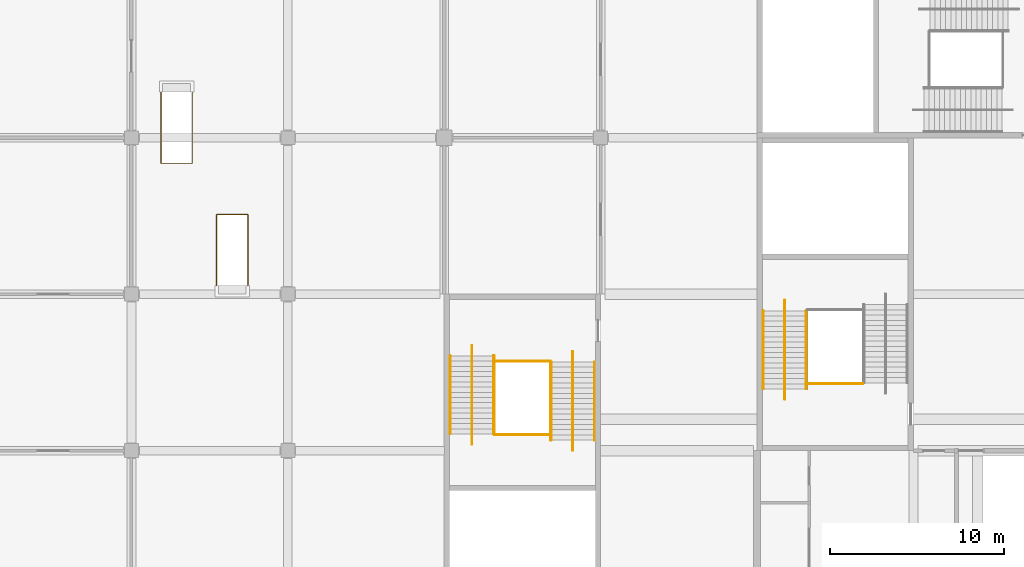
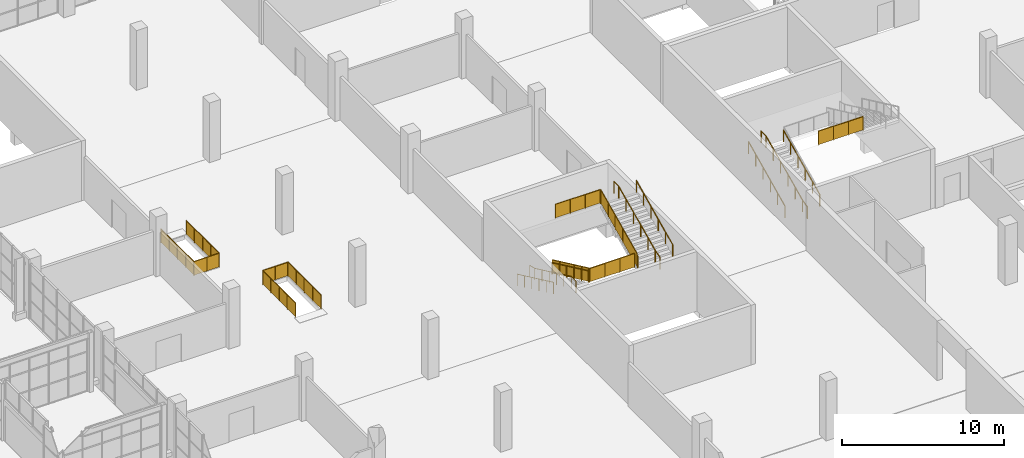
# One storey, part 148 of 168: 16 railings.
"""IFC4 building model written with IfcOpenShell, lengths in metres."""

from ifc_helpers import new_model, si_unit, direction, frame, origin, origin_2d, place, context, subcontext, project, spatial, polyline, circle, outline, extrude, material, type_object, element, save


model = new_model("IFC4")

# Units and contexts
model_context = context("Model", 3, precision=1e-05, world=origin(), true_north=direction((0.0, 1.0)))
body_context = subcontext(model_context, "Body", "Model", "MODEL_VIEW")
ifc_project = project(units=[si_unit("LENGTHUNIT", "METRE"), si_unit("AREAUNIT", "SQUARE_METRE"), si_unit("VOLUMEUNIT", "CUBIC_METRE"), si_unit("PLANEANGLEUNIT", "RADIAN"), si_unit("MASSUNIT", "GRAM", prefix="KILO")], contexts=[model_context])

# Site, building, storey
site_placement = place(None, origin())
site = spatial("IfcSite", under=ifc_project, at=site_placement, CompositionType="ELEMENT")
building_placement = place(site_placement, origin())
building = spatial("IfcBuilding", under=site, at=building_placement, Name="Silverbay Arena", CompositionType="ELEMENT")
storey_placement = place(building_placement, frame((0.0, 0.0, 7.0)))
storey = spatial("IfcBuildingStorey", under=building, at=storey_placement, Name="L01", CompositionType="ELEMENT", Elevation=7.0)

# Railings
ifc_material_1 = material(Name="Stainless steel", Category="steel")
railing_type_1 = type_object("IfcRailingType", Name="Opening guard 1100", PredefinedType="GUARDRAIL", material=ifc_material_1)
railing_1_placement = place(storey_placement, frame((37.699951171875, 119.624267578125, 0.0)))
element("IfcRailing", 1, at=railing_1_placement, inside=storey, type_object=railing_type_1, Name="Escalator opening guard LF30", PredefinedType="GUARDRAIL", context=body_context, shape_type="SweptSolid", body=[
    extrude(circle(Radius=0.02392578125, at=origin_2d()), frame((0.0, 0.0, 1.076171875), z_axis=(0.0, -1.0, 0.0), x_axis=(1.0, 0.0, 0.0)), (0.0, 0.0, 1.0), 4.08984375),
    extrude(outline(polyline([(-0.008056640625, 0.050048828125), (1.030517578125, 0.050048828125), (1.030517578125, 1.052978515625), (-0.008056640625, 1.052978515625), (-0.008056640625, 0.050048828125)])), frame((0.0029296875, 0.0, 0.0), z_axis=(-1.0, 0.0, 0.0), x_axis=(0.0, -1.0, 0.0)), (0.0, 0.0, 1.0), 0.006103515625),
    extrude(outline(polyline([(-0.008056640625, 0.050048828125), (1.030517578125, 0.050048828125), (1.030517578125, 1.052978515625), (-0.008056640625, 1.052978515625), (-0.008056640625, 0.050048828125)])), frame((0.0029296875, -1.0224609375, 0.0), z_axis=(-1.0, 0.0, 0.0), x_axis=(0.0, -1.0, 0.0)), (0.0, 0.0, 1.0), 0.006103515625),
    extrude(outline(polyline([(-0.008056640625, 0.050048828125), (1.030517578125, 0.050048828125), (1.030517578125, 1.052978515625), (-0.008056640625, 1.052978515625), (-0.008056640625, 0.050048828125)])), frame((0.0029296875, -2.044921875, 0.0), z_axis=(-1.0, 0.0, 0.0), x_axis=(0.0, -1.0, 0.0)), (0.0, 0.0, 1.0), 0.006103515625),
    extrude(outline(polyline([(-0.008056640625, 0.050048828125), (1.030517578125, 0.050048828125), (1.030517578125, 1.052978515625), (-0.008056640625, 1.052978515625), (-0.008056640625, 0.050048828125)])), frame((0.0029296875, -3.0673828125, 0.0), z_axis=(-1.0, 0.0, 0.0), x_axis=(0.0, -1.0, 0.0)), (0.0, 0.0, 1.0), 0.006103515625),
    extrude(circle(Radius=0.02392578125, at=origin_2d()), frame((0.0, -4.08984375, 1.076171875), z_axis=(1.0, 0.0, 0.0), x_axis=(0.0, 1.0, 0.0)), (0.0, 0.0, 1.0), 1.800048828125),
    extrude(outline(polyline([(-0.008056640625, 0.050048828125), (0.907958984375, 0.050048828125), (0.907958984375, 1.052978515625), (-0.008056640625, 1.052978515625), (-0.008056640625, 0.050048828125)])), frame((0.0, -4.0869140625, 0.0), z_axis=(0.0, -1.0, 0.0), x_axis=(1.0, 0.0, 0.0)), (0.0, 0.0, 1.0), 0.006103515625),
    extrude(outline(polyline([(-0.008056640625, 0.050048828125), (0.907958984375, 0.050048828125), (0.907958984375, 1.052978515625), (-0.008056640625, 1.052978515625), (-0.008056640625, 0.050048828125)])), frame((0.89990234375, -4.0869140625, 0.0), z_axis=(0.0, -1.0, 0.0), x_axis=(1.0, 0.0, 0.0)), (0.0, 0.0, 1.0), 0.006103515625),
    extrude(circle(Radius=0.02392578125, at=origin_2d()), frame((1.800048828125, -4.08984375, 1.076171875), z_axis=(0.0, 1.0, 0.0), x_axis=(-1.0, 0.0, 0.0)), (0.0, 0.0, 1.0), 4.08984375),
    extrude(outline(polyline([(-0.008056640625, 0.050048828125), (1.030517578125, 0.050048828125), (1.030517578125, 1.052978515625), (-0.008056640625, 1.052978515625), (-0.008056640625, 0.050048828125)])), frame((1.797119140625, -4.08984375, 0.0), z_axis=(1.0, 0.0, 0.0), x_axis=(0.0, 1.0, 0.0)), (0.0, 0.0, 1.0), 0.006103515625),
    extrude(outline(polyline([(-0.008056640625, 0.050048828125), (1.030517578125, 0.050048828125), (1.030517578125, 1.052978515625), (-0.008056640625, 1.052978515625), (-0.008056640625, 0.050048828125)])), frame((1.797119140625, -3.0673828125, 0.0), z_axis=(1.0, 0.0, 0.0), x_axis=(0.0, 1.0, 0.0)), (0.0, 0.0, 1.0), 0.006103515625),
    extrude(outline(polyline([(-0.008056640625, 0.050048828125), (1.030517578125, 0.050048828125), (1.030517578125, 1.052978515625), (-0.008056640625, 1.052978515625), (-0.008056640625, 0.050048828125)])), frame((1.797119140625, -2.044921875, 0.0), z_axis=(1.0, 0.0, 0.0), x_axis=(0.0, 1.0, 0.0)), (0.0, 0.0, 1.0), 0.006103515625),
    extrude(outline(polyline([(-0.008056640625, 0.050048828125), (1.030517578125, 0.050048828125), (1.030517578125, 1.052978515625), (-0.008056640625, 1.052978515625), (-0.008056640625, 0.050048828125)])), frame((1.797119140625, -1.0224609375, 0.0), z_axis=(1.0, 0.0, 0.0), x_axis=(0.0, 1.0, 0.0)), (0.0, 0.0, 1.0), 0.006103515625),
    extrude(circle(Radius=0.02099609375, at=origin_2d()), origin(), (0.0, 0.0, 1.0), 1.052001953125),
    extrude(circle(Radius=0.02099609375, at=origin_2d()), frame((0.0, -1.0224609375, 0.0)), (0.0, 0.0, 1.0), 1.052001953125),
    extrude(circle(Radius=0.02099609375, at=origin_2d()), frame((0.0, -2.044921875, 0.0)), (0.0, 0.0, 1.0), 1.052001953125),
    extrude(circle(Radius=0.02099609375, at=origin_2d()), frame((0.0, -3.0673828125, 0.0)), (0.0, 0.0, 1.0), 1.052001953125),
    extrude(circle(Radius=0.02099609375, at=origin_2d()), frame((0.0, -4.08984375, 0.0)), (0.0, 0.0, 1.0), 1.052001953125),
    extrude(circle(Radius=0.02099609375, at=origin_2d()), frame((0.89990234375, -4.08984375, 0.0)), (0.0, 0.0, 1.0), 1.052001953125),
    extrude(circle(Radius=0.02099609375, at=origin_2d()), frame((1.800048828125, -4.08984375, 0.0)), (0.0, 0.0, 1.0), 1.052001953125),
    extrude(circle(Radius=0.02099609375, at=origin_2d()), frame((1.800048828125, -3.0673828125, 0.0)), (0.0, 0.0, 1.0), 1.052001953125),
    extrude(circle(Radius=0.02099609375, at=origin_2d()), frame((1.800048828125, -2.044921875, 0.0)), (0.0, 0.0, 1.0), 1.052001953125),
    extrude(circle(Radius=0.02099609375, at=origin_2d()), frame((1.800048828125, -1.0224609375, 0.0)), (0.0, 0.0, 1.0), 1.052001953125),
    extrude(circle(Radius=0.02099609375, at=origin_2d()), frame((1.800048828125, 0.0, 0.0)), (0.0, 0.0, 1.0), 1.052001953125),
])
railing_2_placement = place(storey_placement, frame((40.89990234375, 108.5, 0.0)))
element("IfcRailing", 2, at=railing_2_placement, inside=storey, type_object=railing_type_1, Name="Escalator opening guard LF31", PredefinedType="GUARDRAIL", context=body_context, shape_type="SweptSolid", body=[
    extrude(circle(Radius=0.02392578125, at=origin_2d()), frame((0.0, 0.0, 1.076171875), z_axis=(0.0, 1.0, 0.0), x_axis=(-1.0, 0.0, 0.0)), (0.0, 0.0, 1.0), 4.08984375),
    extrude(outline(polyline([(-0.008056640625, 0.050048828125), (1.030517578125, 0.050048828125), (1.030517578125, 1.052978515625), (-0.008056640625, 1.052978515625), (-0.008056640625, 0.050048828125)])), frame((-0.0029296875, 0.0, 0.0), z_axis=(1.0, 0.0, 0.0), x_axis=(0.0, 1.0, 0.0)), (0.0, 0.0, 1.0), 0.006103515625),
    extrude(outline(polyline([(-0.008056640625, 0.050048828125), (1.030517578125, 0.050048828125), (1.030517578125, 1.052978515625), (-0.008056640625, 1.052978515625), (-0.008056640625, 0.050048828125)])), frame((-0.0029296875, 1.0224609375, 0.0), z_axis=(1.0, 0.0, 0.0), x_axis=(0.0, 1.0, 0.0)), (0.0, 0.0, 1.0), 0.006103515625),
    extrude(outline(polyline([(-0.008056640625, 0.050048828125), (1.030517578125, 0.050048828125), (1.030517578125, 1.052978515625), (-0.008056640625, 1.052978515625), (-0.008056640625, 0.050048828125)])), frame((-0.0029296875, 2.044921875, 0.0), z_axis=(1.0, 0.0, 0.0), x_axis=(0.0, 1.0, 0.0)), (0.0, 0.0, 1.0), 0.006103515625),
    extrude(outline(polyline([(-0.008056640625, 0.050048828125), (1.030517578125, 0.050048828125), (1.030517578125, 1.052978515625), (-0.008056640625, 1.052978515625), (-0.008056640625, 0.050048828125)])), frame((-0.0029296875, 3.0673828125, 0.0), z_axis=(1.0, 0.0, 0.0), x_axis=(0.0, 1.0, 0.0)), (0.0, 0.0, 1.0), 0.006103515625),
    extrude(circle(Radius=0.02392578125, at=origin_2d()), frame((0.0, 4.08984375, 1.076171875), z_axis=(1.0, 0.0, 0.0), x_axis=(0.0, 1.0, 0.0)), (0.0, 0.0, 1.0), 1.800048828125),
    extrude(outline(polyline([(-0.008056640625, 0.050048828125), (0.907958984375, 0.050048828125), (0.907958984375, 1.052978515625), (-0.008056640625, 1.052978515625), (-0.008056640625, 0.050048828125)])), frame((0.0, 4.0927734375, 0.0), z_axis=(0.0, -1.0, 0.0), x_axis=(1.0, 0.0, 0.0)), (0.0, 0.0, 1.0), 0.006103515625),
    extrude(outline(polyline([(-0.008056640625, 0.050048828125), (0.907958984375, 0.050048828125), (0.907958984375, 1.052978515625), (-0.008056640625, 1.052978515625), (-0.008056640625, 0.050048828125)])), frame((0.89990234375, 4.0927734375, 0.0), z_axis=(0.0, -1.0, 0.0), x_axis=(1.0, 0.0, 0.0)), (0.0, 0.0, 1.0), 0.006103515625),
    extrude(circle(Radius=0.02392578125, at=origin_2d()), frame((1.800048828125, 4.08984375, 1.076171875), z_axis=(0.0, -1.0, 0.0), x_axis=(1.0, 0.0, 0.0)), (0.0, 0.0, 1.0), 4.08984375),
    extrude(outline(polyline([(-0.008056640625, 0.050048828125), (1.030517578125, 0.050048828125), (1.030517578125, 1.052978515625), (-0.008056640625, 1.052978515625), (-0.008056640625, 0.050048828125)])), frame((1.802978515625, 4.08984375, 0.0), z_axis=(-1.0, 0.0, 0.0), x_axis=(0.0, -1.0, 0.0)), (0.0, 0.0, 1.0), 0.006103515625),
    extrude(outline(polyline([(-0.008056640625, 0.050048828125), (1.030517578125, 0.050048828125), (1.030517578125, 1.052978515625), (-0.008056640625, 1.052978515625), (-0.008056640625, 0.050048828125)])), frame((1.802978515625, 3.0673828125, 0.0), z_axis=(-1.0, 0.0, 0.0), x_axis=(0.0, -1.0, 0.0)), (0.0, 0.0, 1.0), 0.006103515625),
    extrude(outline(polyline([(-0.008056640625, 0.050048828125), (1.030517578125, 0.050048828125), (1.030517578125, 1.052978515625), (-0.008056640625, 1.052978515625), (-0.008056640625, 0.050048828125)])), frame((1.802978515625, 2.044921875, 0.0), z_axis=(-1.0, 0.0, 0.0), x_axis=(0.0, -1.0, 0.0)), (0.0, 0.0, 1.0), 0.006103515625),
    extrude(outline(polyline([(-0.008056640625, 0.050048828125), (1.030517578125, 0.050048828125), (1.030517578125, 1.052978515625), (-0.008056640625, 1.052978515625), (-0.008056640625, 0.050048828125)])), frame((1.802978515625, 1.0224609375, 0.0), z_axis=(-1.0, 0.0, 0.0), x_axis=(0.0, -1.0, 0.0)), (0.0, 0.0, 1.0), 0.006103515625),
    extrude(circle(Radius=0.02099609375, at=origin_2d()), origin(), (0.0, 0.0, 1.0), 1.052001953125),
    extrude(circle(Radius=0.02099609375, at=origin_2d()), frame((0.0, 1.0224609375, 0.0)), (0.0, 0.0, 1.0), 1.052001953125),
    extrude(circle(Radius=0.02099609375, at=origin_2d()), frame((0.0, 2.044921875, 0.0)), (0.0, 0.0, 1.0), 1.052001953125),
    extrude(circle(Radius=0.02099609375, at=origin_2d()), frame((0.0, 3.0673828125, 0.0)), (0.0, 0.0, 1.0), 1.052001953125),
    extrude(circle(Radius=0.02099609375, at=origin_2d()), frame((0.0, 4.08984375, 0.0)), (0.0, 0.0, 1.0), 1.052001953125),
    extrude(circle(Radius=0.02099609375, at=origin_2d()), frame((0.89990234375, 4.08984375, 0.0)), (0.0, 0.0, 1.0), 1.052001953125),
    extrude(circle(Radius=0.02099609375, at=origin_2d()), frame((1.800048828125, 4.08984375, 0.0)), (0.0, 0.0, 1.0), 1.052001953125),
    extrude(circle(Radius=0.02099609375, at=origin_2d()), frame((1.800048828125, 3.0673828125, 0.0)), (0.0, 0.0, 1.0), 1.052001953125),
    extrude(circle(Radius=0.02099609375, at=origin_2d()), frame((1.800048828125, 2.044921875, 0.0)), (0.0, 0.0, 1.0), 1.052001953125),
    extrude(circle(Radius=0.02099609375, at=origin_2d()), frame((1.800048828125, 1.0224609375, 0.0)), (0.0, 0.0, 1.0), 1.052001953125),
    extrude(circle(Radius=0.02099609375, at=origin_2d()), frame((1.800048828125, 0.0, 0.0)), (0.0, 0.0, 1.0), 1.052001953125),
])
ifc_material_2 = material(Name="Stainless steel", Category="steel")
railing_type_2 = type_object("IfcRailingType", Name="Stair guard 1100", PredefinedType="GUARDRAIL", material=ifc_material_2)
railing_3_placement = place(storey_placement, frame((56.875, 104.453369140625, 0.140625)))
element("IfcRailing", 3, at=railing_3_placement, inside=storey, type_object=railing_type_2, Name="Stair ST-W2 L01 to L02 flight 1 guard left", PredefinedType="GUARDRAIL", context=body_context, shape_type="SweptSolid", body=[
    extrude(circle(Radius=0.02392578125, at=origin_2d()), frame((0.0, 0.0, 1.076171875), z_axis=(0.0, -0.905458935959, 0.424433876231), x_axis=(1.0, 0.0, 0.0)), (0.0, 0.0, 1.0), 4.969970703125),
    extrude(outline(polyline([(-0.008056640625, 0.046142578125), (0.907958984375, 0.4755859375), (0.907958984375, 1.478515625), (-0.008056640625, 1.04931640625), (-0.008056640625, 0.046142578125)])), frame((0.0029296875, 0.0, 0.0), z_axis=(-1.0, 0.0, 0.0), x_axis=(0.0, -1.0, 0.0)), (0.0, 0.0, 1.0), 0.006103515625),
    extrude(outline(polyline([(-0.008056640625, 0.468017578125), (0.907958984375, 0.8974609375), (0.907958984375, 1.900390625), (-0.008056640625, 1.47119140625), (-0.008056640625, 0.468017578125)])), frame((0.0029296875, -0.89990234375, 0.0), z_axis=(-1.0, 0.0, 0.0), x_axis=(0.0, -1.0, 0.0)), (0.0, 0.0, 1.0), 0.006103515625),
    extrude(outline(polyline([(-0.008056640625, 0.889892578125), (0.907958984375, 1.3193359375), (0.907958984375, 2.322265625), (-0.008056640625, 1.89306640625), (-0.008056640625, 0.889892578125)])), frame((0.0029296875, -1.800048828125, 0.0), z_axis=(-1.0, 0.0, 0.0), x_axis=(0.0, -1.0, 0.0)), (0.0, 0.0, 1.0), 0.006103515625),
    extrude(outline(polyline([(-0.008056640625, 1.311767578125), (0.907958984375, 1.7412109375), (0.907958984375, 2.744140625), (-0.008056640625, 2.31494140625), (-0.008056640625, 1.311767578125)])), frame((0.0029296875, -2.699951171875, 0.0), z_axis=(-1.0, 0.0, 0.0), x_axis=(0.0, -1.0, 0.0)), (0.0, 0.0, 1.0), 0.006103515625),
    extrude(outline(polyline([(-0.008056640625, 1.733642578125), (0.907958984375, 2.1630859375), (0.907958984375, 3.166015625), (-0.008056640625, 2.73681640625), (-0.008056640625, 1.733642578125)])), frame((0.0029296875, -3.60009765625, 0.0), z_axis=(-1.0, 0.0, 0.0), x_axis=(0.0, -1.0, 0.0)), (0.0, 0.0, 1.0), 0.006103515625),
    extrude(circle(Radius=0.02099609375, at=origin_2d()), origin(), (0.0, 0.0, 1.0), 1.052001953125),
    extrude(circle(Radius=0.02099609375, at=origin_2d()), frame((0.0, -0.89990234375, 0.421875)), (0.0, 0.0, 1.0), 1.052001953125),
    extrude(circle(Radius=0.02099609375, at=origin_2d()), frame((0.0, -1.800048828125, 0.84375)), (0.0, 0.0, 1.0), 1.052001953125),
    extrude(circle(Radius=0.02099609375, at=origin_2d()), frame((0.0, -2.699951171875, 1.265625)), (0.0, 0.0, 1.0), 1.052001953125),
    extrude(circle(Radius=0.02099609375, at=origin_2d()), frame((0.0, -3.60009765625, 1.6875)), (0.0, 0.0, 1.0), 1.052001953125),
    extrude(circle(Radius=0.02099609375, at=origin_2d()), frame((0.0, -4.5, 2.109375)), (0.0, 0.0, 1.0), 1.052001953125),
])
railing_4_placement = place(storey_placement, frame((60.125, 99.60009765625, 2.390625)))
element("IfcRailing", 4, at=railing_4_placement, inside=storey, type_object=railing_type_2, Name="Stair ST-W2 L01 to L02 flight 2 guard right", PredefinedType="GUARDRAIL", context=body_context, shape_type="SweptSolid", body=[
    extrude(circle(Radius=0.02392578125, at=origin_2d()), frame((0.0, 0.0, 1.076171875), z_axis=(0.0, 0.905458935959, 0.424433876231), x_axis=(-1.0, 0.0, 0.0)), (0.0, 0.0, 1.0), 4.969970703125),
    extrude(outline(polyline([(-0.008056640625, 0.046142578125), (0.907958984375, 0.4755859375), (0.907958984375, 1.478515625), (-0.008056640625, 1.04931640625), (-0.008056640625, 0.046142578125)])), frame((-0.0029296875, 0.0, 0.0), z_axis=(1.0, 0.0, 0.0), x_axis=(0.0, 1.0, 0.0)), (0.0, 0.0, 1.0), 0.006103515625),
    extrude(outline(polyline([(-0.008056640625, 0.468017578125), (0.907958984375, 0.8974609375), (0.907958984375, 1.900390625), (-0.008056640625, 1.47119140625), (-0.008056640625, 0.468017578125)])), frame((-0.0029296875, 0.89990234375, 0.0), z_axis=(1.0, 0.0, 0.0), x_axis=(0.0, 1.0, 0.0)), (0.0, 0.0, 1.0), 0.006103515625),
    extrude(outline(polyline([(-0.008056640625, 0.889892578125), (0.907958984375, 1.3193359375), (0.907958984375, 2.322265625), (-0.008056640625, 1.89306640625), (-0.008056640625, 0.889892578125)])), frame((-0.0029296875, 1.800048828125, 0.0), z_axis=(1.0, 0.0, 0.0), x_axis=(0.0, 1.0, 0.0)), (0.0, 0.0, 1.0), 0.006103515625),
    extrude(outline(polyline([(-0.008056640625, 1.311767578125), (0.907958984375, 1.7412109375), (0.907958984375, 2.744140625), (-0.008056640625, 2.31494140625), (-0.008056640625, 1.311767578125)])), frame((-0.0029296875, 2.699951171875, 0.0), z_axis=(1.0, 0.0, 0.0), x_axis=(0.0, 1.0, 0.0)), (0.0, 0.0, 1.0), 0.006103515625),
    extrude(outline(polyline([(-0.008056640625, 1.733642578125), (0.907958984375, 2.1630859375), (0.907958984375, 3.166015625), (-0.008056640625, 2.73681640625), (-0.008056640625, 1.733642578125)])), frame((-0.0029296875, 3.60009765625, 0.0), z_axis=(1.0, 0.0, 0.0), x_axis=(0.0, 1.0, 0.0)), (0.0, 0.0, 1.0), 0.006103515625),
    extrude(circle(Radius=0.02099609375, at=origin_2d()), origin(), (0.0, 0.0, 1.0), 1.052001953125),
    extrude(circle(Radius=0.02099609375, at=origin_2d()), frame((0.0, 0.89990234375, 0.421875)), (0.0, 0.0, 1.0), 1.052001953125),
    extrude(circle(Radius=0.02099609375, at=origin_2d()), frame((0.0, 1.800048828125, 0.84375)), (0.0, 0.0, 1.0), 1.052001953125),
    extrude(circle(Radius=0.02099609375, at=origin_2d()), frame((0.0, 2.699951171875, 1.265625)), (0.0, 0.0, 1.0), 1.052001953125),
    extrude(circle(Radius=0.02099609375, at=origin_2d()), frame((0.0, 3.60009765625, 1.6875)), (0.0, 0.0, 1.0), 1.052001953125),
    extrude(circle(Radius=0.02099609375, at=origin_2d()), frame((0.0, 4.5, 2.109375)), (0.0, 0.0, 1.0), 1.052001953125),
])
for number, where, name in (
    (5, (60.10009765625, 99.9033203125, 2.25), "Stair ST-W2 L01 to L02 landing 1 guard"),
    (6, (60.10009765625, 104.14990234375, 4.5), "Stair ST-W2 L01 to L02 landing 2 guard"),
    (7, (78.10009765625, 102.85009765625, 4.5), "Stair ST-NW2 L01 to L02 landing 2 guard"),
):
    element("IfcRailing", number, at=place(storey_placement, frame(where)), inside=storey, type_object=railing_type_2, Name=name, PredefinedType="GUARDRAIL", context=body_context, shape_type="SweptSolid", body=[
        extrude(circle(Radius=0.02392578125, at=origin_2d()), frame((0.0, 0.0, 1.076171875), z_axis=(-1.0, 0.0, 0.0), x_axis=(0.0, -1.0, 0.0)), (0.0, 0.0, 1.0), 3.2001953125),
        extrude(outline(polyline([(-0.008056640625, 0.050048828125), (1.07470703125, 0.050048828125), (1.07470703125, 1.052978515625), (-0.008056640625, 1.052978515625), (-0.008056640625, 0.050048828125)])), frame((0.0, -0.0029296875, 0.0), z_axis=(0.0, 1.0, 0.0), x_axis=(-1.0, 0.0, 0.0)), (0.0, 0.0, 1.0), 0.006103515625),
        extrude(outline(polyline([(-0.008056640625, 0.050048828125), (1.07470703125, 0.050048828125), (1.07470703125, 1.052978515625), (-0.008056640625, 1.052978515625), (-0.008056640625, 0.050048828125)])), frame((-1.066650390625, -0.0029296875, 0.0), z_axis=(0.0, 1.0, 0.0), x_axis=(-1.0, 0.0, 0.0)), (0.0, 0.0, 1.0), 0.006103515625),
        extrude(outline(polyline([(-0.008056640625, 0.050048828125), (1.07470703125, 0.050048828125), (1.07470703125, 1.052978515625), (-0.008056640625, 1.052978515625), (-0.008056640625, 0.050048828125)])), frame((-2.133544921875, -0.0029296875, 0.0), z_axis=(0.0, 1.0, 0.0), x_axis=(-1.0, 0.0, 0.0)), (0.0, 0.0, 1.0), 0.006103515625),
        extrude(circle(Radius=0.02099609375, at=origin_2d()), origin(), (0.0, 0.0, 1.0), 1.052001953125),
        extrude(circle(Radius=0.02099609375, at=origin_2d()), frame((-1.066650390625, 0.0, 0.0)), (0.0, 0.0, 1.0), 1.052001953125),
        extrude(circle(Radius=0.02099609375, at=origin_2d()), frame((-2.133544921875, 0.0, 0.0)), (0.0, 0.0, 1.0), 1.052001953125),
        extrude(circle(Radius=0.02099609375, at=origin_2d()), frame((-3.2001953125, 0.0, 0.0)), (0.0, 0.0, 1.0), 1.052001953125),
    ])
ifc_material_3 = material(Name="Stainless steel", Category="steel")
railing_type_3 = type_object("IfcRailingType", Name="Stair handrail 900", PredefinedType="HANDRAIL", material=ifc_material_3)
for number, where, name in (
    (8, (56.8359375, 104.453369140625, 0.140625), "Stair ST-W2 L01 to L02 flight 1 handrail left"),
    (9, (54.35009765625, 104.453369140625, 0.140625), "Stair ST-W2 L01 to L02 flight 1 handrail right"),
):
    element("IfcRailing", number, at=place(storey_placement, frame(where)), inside=storey, type_object=railing_type_3, Name=name, PredefinedType="HANDRAIL", context=body_context, shape_type="SweptSolid", body=[
        extrude(circle(Radius=0.02392578125, at=origin_2d()), frame((0.0, 0.0, 0.8759765625), z_axis=(0.0, -0.905458935959, 0.424433876231), x_axis=(1.0, 0.0, 0.0)), (0.0, 0.0, 1.0), 4.969970703125),
        extrude(circle(Radius=0.02099609375, at=origin_2d()), origin(), (0.0, 0.0, 1.0), 0.851806640625),
        extrude(circle(Radius=0.02099609375, at=origin_2d()), frame((0.0, -0.89990234375, 0.421875)), (0.0, 0.0, 1.0), 0.851806640625),
        extrude(circle(Radius=0.02099609375, at=origin_2d()), frame((0.0, -1.800048828125, 0.84375)), (0.0, 0.0, 1.0), 0.851806640625),
        extrude(circle(Radius=0.02099609375, at=origin_2d()), frame((0.0, -2.699951171875, 1.265625)), (0.0, 0.0, 1.0), 0.851806640625),
        extrude(circle(Radius=0.02099609375, at=origin_2d()), frame((0.0, -3.60009765625, 1.6875)), (0.0, 0.0, 1.0), 0.851806640625),
        extrude(circle(Radius=0.02099609375, at=origin_2d()), frame((0.0, -4.5, 2.109375)), (0.0, 0.0, 1.0), 0.851806640625),
    ])
railing_5_placement = place(storey_placement, frame((55.60009765625, 105.053466796875, 0.0)))
element("IfcRailing", 10, at=railing_5_placement, inside=storey, type_object=railing_type_3, Name="Stair ST-W2 L01 to L02 flight 1 central handrail", PredefinedType="HANDRAIL", context=body_context, shape_type="SweptSolid", body=[
    extrude(circle(Radius=0.02392578125, at=origin_2d()), frame((0.0, 0.0, 0.8759765625), z_axis=(0.0, -0.973624560196, 0.228156121511), x_axis=(1.0, 0.0, 0.0)), (0.0, 0.0, 1.0), 0.616455078125),
    extrude(circle(Radius=0.02392578125, at=origin_2d()), frame((0.0, -0.60009765625, 1.0166015625), z_axis=(0.0, -0.905458935959, 0.424433876231), x_axis=(1.0, 0.0, 0.0)), (0.0, 0.0, 1.0), 4.969970703125),
    extrude(circle(Radius=0.02392578125, at=origin_2d()), frame((0.0, -5.10009765625, 3.1259765625), z_axis=(0.0, -1.0, 0.0), x_axis=(1.0, 0.0, 0.0)), (0.0, 0.0, 1.0), 0.599853515625),
    extrude(circle(Radius=0.02099609375, at=origin_2d()), origin(), (0.0, 0.0, 1.0), 0.851806640625),
    extrude(circle(Radius=0.02099609375, at=origin_2d()), frame((0.0, -0.60009765625, 0.140625)), (0.0, 0.0, 1.0), 0.851806640625),
    extrude(circle(Radius=0.02099609375, at=origin_2d()), frame((0.0, -1.5, 0.5625)), (0.0, 0.0, 1.0), 0.851806640625),
    extrude(circle(Radius=0.02099609375, at=origin_2d()), frame((0.0, -2.400146484375, 0.984375)), (0.0, 0.0, 1.0), 0.851806640625),
    extrude(circle(Radius=0.02099609375, at=origin_2d()), frame((0.0, -3.300048828125, 1.40625)), (0.0, 0.0, 1.0), 0.851806640625),
    extrude(circle(Radius=0.02099609375, at=origin_2d()), frame((0.0, -4.2001953125, 1.828125)), (0.0, 0.0, 1.0), 0.851806640625),
    extrude(circle(Radius=0.02099609375, at=origin_2d()), frame((0.0, -5.10009765625, 2.25)), (0.0, 0.0, 1.0), 0.851806640625),
    extrude(circle(Radius=0.02099609375, at=origin_2d()), frame((0.0, -5.699951171875, 2.25)), (0.0, 0.0, 1.0), 0.851806640625),
])
for number, where, name in (
    (11, (62.64990234375, 99.60009765625, 2.390625), "Stair ST-W2 L01 to L02 flight 2 handrail left"),
    (12, (60.1640625, 99.60009765625, 2.390625), "Stair ST-W2 L01 to L02 flight 2 handrail right"),
):
    element("IfcRailing", number, at=place(storey_placement, frame(where)), inside=storey, type_object=railing_type_3, Name=name, PredefinedType="HANDRAIL", context=body_context, shape_type="SweptSolid", body=[
        extrude(circle(Radius=0.02392578125, at=origin_2d()), frame((0.0, 0.0, 0.8759765625), z_axis=(0.0, 0.905458935959, 0.424433876231), x_axis=(-1.0, 0.0, 0.0)), (0.0, 0.0, 1.0), 4.969970703125),
        extrude(circle(Radius=0.02099609375, at=origin_2d()), origin(), (0.0, 0.0, 1.0), 0.851806640625),
        extrude(circle(Radius=0.02099609375, at=origin_2d()), frame((0.0, 0.89990234375, 0.421875)), (0.0, 0.0, 1.0), 0.851806640625),
        extrude(circle(Radius=0.02099609375, at=origin_2d()), frame((0.0, 1.800048828125, 0.84375)), (0.0, 0.0, 1.0), 0.851806640625),
        extrude(circle(Radius=0.02099609375, at=origin_2d()), frame((0.0, 2.699951171875, 1.265625)), (0.0, 0.0, 1.0), 0.851806640625),
        extrude(circle(Radius=0.02099609375, at=origin_2d()), frame((0.0, 3.60009765625, 1.6875)), (0.0, 0.0, 1.0), 0.851806640625),
        extrude(circle(Radius=0.02099609375, at=origin_2d()), frame((0.0, 4.5, 2.109375)), (0.0, 0.0, 1.0), 0.851806640625),
    ])
railing_6_placement = place(storey_placement, frame((61.39990234375, 99.0, 2.25)))
element("IfcRailing", 13, at=railing_6_placement, inside=storey, type_object=railing_type_3, Name="Stair ST-W2 L01 to L02 flight 2 central handrail", PredefinedType="HANDRAIL", context=body_context, shape_type="SweptSolid", body=[
    extrude(circle(Radius=0.02392578125, at=origin_2d()), frame((0.0, 0.0, 0.8759765625), z_axis=(0.0, 0.973624560196, 0.228156121511), x_axis=(-1.0, 0.0, 0.0)), (0.0, 0.0, 1.0), 0.616455078125),
    extrude(circle(Radius=0.02392578125, at=origin_2d()), frame((0.0, 0.60009765625, 1.0166015625), z_axis=(0.0, 0.905458935959, 0.424433876231), x_axis=(-1.0, 0.0, 0.0)), (0.0, 0.0, 1.0), 4.969970703125),
    extrude(circle(Radius=0.02392578125, at=origin_2d()), frame((0.0, 5.10009765625, 3.1259765625), z_axis=(0.0, 1.0, 0.0), x_axis=(-1.0, 0.0, 0.0)), (0.0, 0.0, 1.0), 0.599853515625),
    extrude(circle(Radius=0.02099609375, at=origin_2d()), origin(), (0.0, 0.0, 1.0), 0.851806640625),
    extrude(circle(Radius=0.02099609375, at=origin_2d()), frame((0.0, 0.60009765625, 0.140625)), (0.0, 0.0, 1.0), 0.851806640625),
    extrude(circle(Radius=0.02099609375, at=origin_2d()), frame((0.0, 1.5, 0.5625)), (0.0, 0.0, 1.0), 0.851806640625),
    extrude(circle(Radius=0.02099609375, at=origin_2d()), frame((0.0, 2.400146484375, 0.984375)), (0.0, 0.0, 1.0), 0.851806640625),
    extrude(circle(Radius=0.02099609375, at=origin_2d()), frame((0.0, 3.300048828125, 1.40625)), (0.0, 0.0, 1.0), 0.851806640625),
    extrude(circle(Radius=0.02099609375, at=origin_2d()), frame((0.0, 4.2001953125, 1.828125)), (0.0, 0.0, 1.0), 0.851806640625),
    extrude(circle(Radius=0.02099609375, at=origin_2d()), frame((0.0, 5.10009765625, 2.25)), (0.0, 0.0, 1.0), 0.851806640625),
    extrude(circle(Radius=0.02099609375, at=origin_2d()), frame((0.0, 5.699951171875, 2.25)), (0.0, 0.0, 1.0), 0.851806640625),
])
for number, where, name in (
    (14, (74.8359375, 102.546630859375, 0.140625), "Stair ST-NW2 L01 to L02 flight 1 handrail left"),
    (15, (72.35009765625, 102.546630859375, 0.140625), "Stair ST-NW2 L01 to L02 flight 1 handrail right"),
):
    element("IfcRailing", number, at=place(storey_placement, frame(where)), inside=storey, type_object=railing_type_3, Name=name, PredefinedType="HANDRAIL", context=body_context, shape_type="SweptSolid", body=[
        extrude(circle(Radius=0.02392578125, at=origin_2d()), frame((0.0, 0.0, 0.8759765625), z_axis=(0.0, 0.905458935959, 0.424433876231), x_axis=(-1.0, 0.0, 0.0)), (0.0, 0.0, 1.0), 4.969970703125),
        extrude(circle(Radius=0.02099609375, at=origin_2d()), origin(), (0.0, 0.0, 1.0), 0.851806640625),
        extrude(circle(Radius=0.02099609375, at=origin_2d()), frame((0.0, 0.89990234375, 0.421875)), (0.0, 0.0, 1.0), 0.851806640625),
        extrude(circle(Radius=0.02099609375, at=origin_2d()), frame((0.0, 1.800048828125, 0.84375)), (0.0, 0.0, 1.0), 0.851806640625),
        extrude(circle(Radius=0.02099609375, at=origin_2d()), frame((0.0, 2.699951171875, 1.265625)), (0.0, 0.0, 1.0), 0.851806640625),
        extrude(circle(Radius=0.02099609375, at=origin_2d()), frame((0.0, 3.60009765625, 1.6875)), (0.0, 0.0, 1.0), 0.851806640625),
        extrude(circle(Radius=0.02099609375, at=origin_2d()), frame((0.0, 4.5, 2.109375)), (0.0, 0.0, 1.0), 0.851806640625),
    ])
railing_7_placement = place(storey_placement, frame((73.60009765625, 101.946533203125, 0.0)))
element("IfcRailing", 16, at=railing_7_placement, inside=storey, type_object=railing_type_3, Name="Stair ST-NW2 L01 to L02 flight 1 central handrail", PredefinedType="HANDRAIL", context=body_context, shape_type="SweptSolid", body=[
    extrude(circle(Radius=0.02392578125, at=origin_2d()), frame((0.0, 0.0, 0.8759765625), z_axis=(0.0, 0.973624560196, 0.228156121511), x_axis=(-1.0, 0.0, 0.0)), (0.0, 0.0, 1.0), 0.616455078125),
    extrude(circle(Radius=0.02392578125, at=origin_2d()), frame((0.0, 0.60009765625, 1.0166015625), z_axis=(0.0, 0.905458935959, 0.424433876231), x_axis=(-1.0, 0.0, 0.0)), (0.0, 0.0, 1.0), 4.969970703125),
    extrude(circle(Radius=0.02392578125, at=origin_2d()), frame((0.0, 5.10009765625, 3.1259765625), z_axis=(0.0, 1.0, 0.0), x_axis=(-1.0, 0.0, 0.0)), (0.0, 0.0, 1.0), 0.599853515625),
    extrude(circle(Radius=0.02099609375, at=origin_2d()), origin(), (0.0, 0.0, 1.0), 0.851806640625),
    extrude(circle(Radius=0.02099609375, at=origin_2d()), frame((0.0, 0.60009765625, 0.140625)), (0.0, 0.0, 1.0), 0.851806640625),
    extrude(circle(Radius=0.02099609375, at=origin_2d()), frame((0.0, 1.5, 0.5625)), (0.0, 0.0, 1.0), 0.851806640625),
    extrude(circle(Radius=0.02099609375, at=origin_2d()), frame((0.0, 2.400146484375, 0.984375)), (0.0, 0.0, 1.0), 0.851806640625),
    extrude(circle(Radius=0.02099609375, at=origin_2d()), frame((0.0, 3.300048828125, 1.40625)), (0.0, 0.0, 1.0), 0.851806640625),
    extrude(circle(Radius=0.02099609375, at=origin_2d()), frame((0.0, 4.2001953125, 1.828125)), (0.0, 0.0, 1.0), 0.851806640625),
    extrude(circle(Radius=0.02099609375, at=origin_2d()), frame((0.0, 5.10009765625, 2.25)), (0.0, 0.0, 1.0), 0.851806640625),
    extrude(circle(Radius=0.02099609375, at=origin_2d()), frame((0.0, 5.699951171875, 2.25)), (0.0, 0.0, 1.0), 0.851806640625),
])

save(model, "model.ifc")
